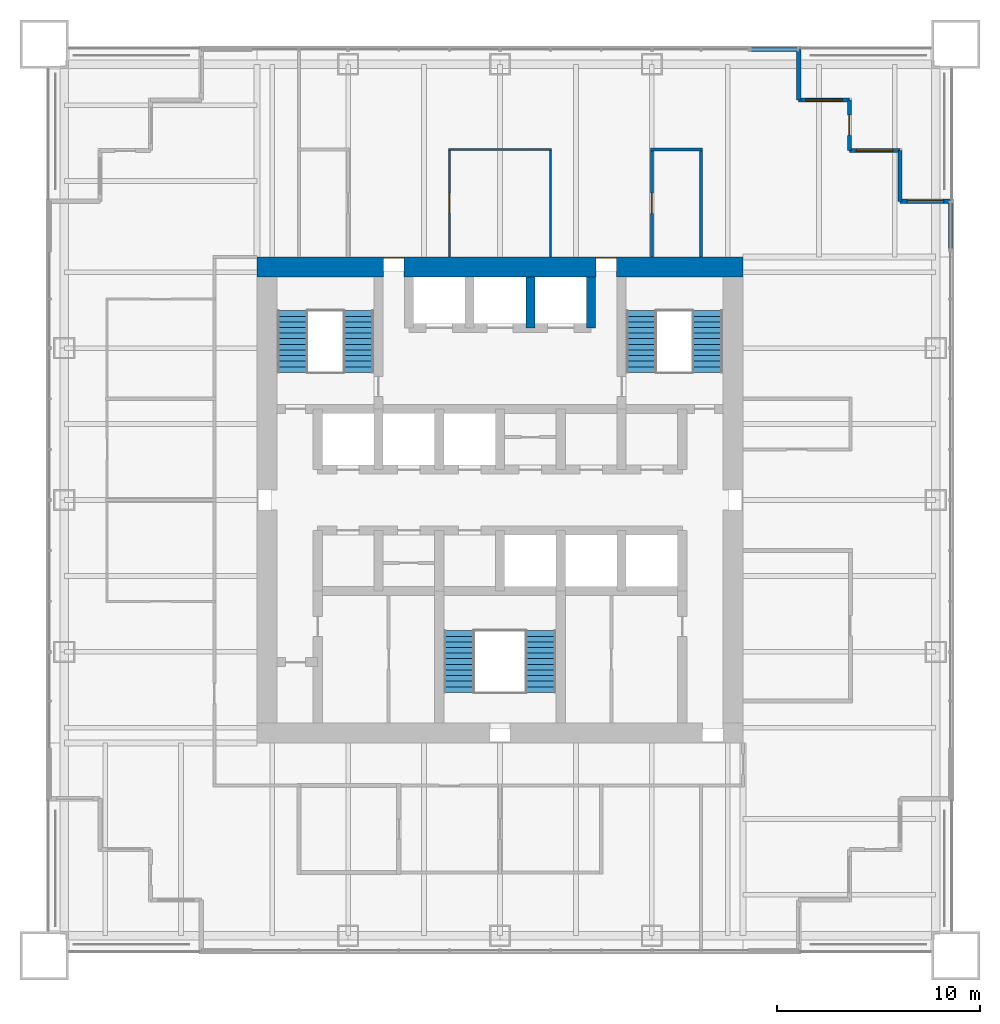
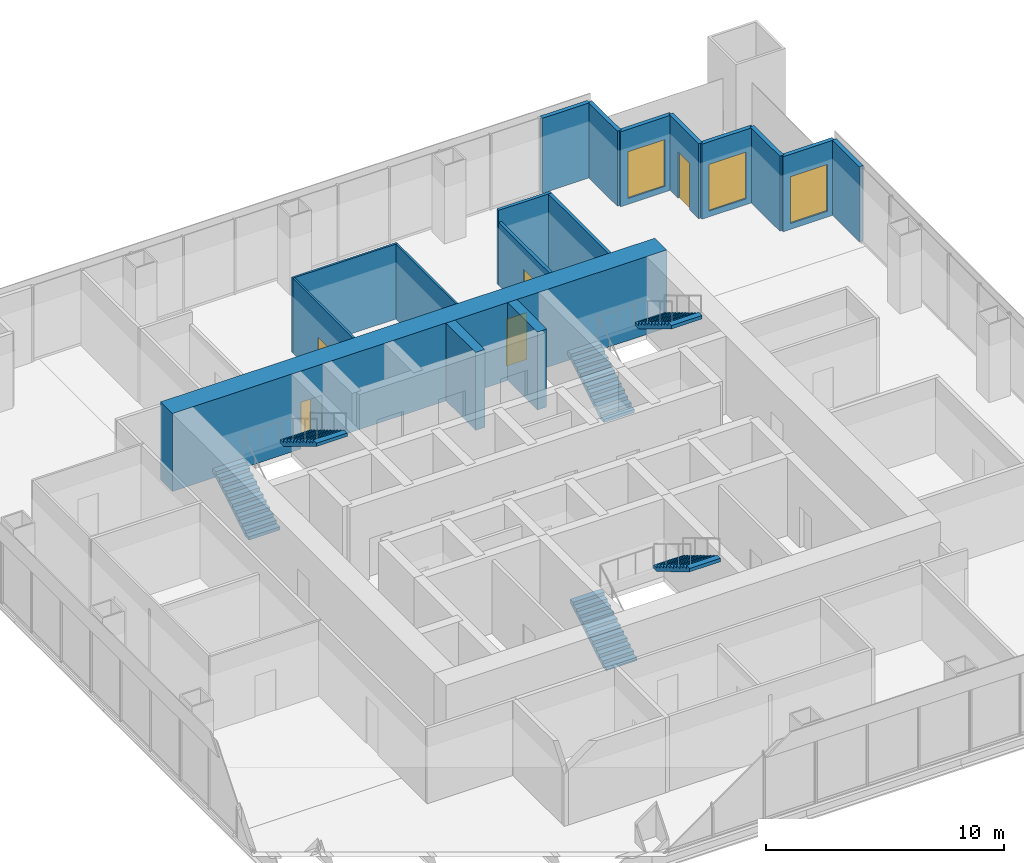
# One storey, part 11 of 13: 17 walls, 6 stair flights, 5 doors, 3 windows, 8 openings, 3 elements without a shape of their own.
"""IFC4 building model written with IfcOpenShell, lengths in metres."""

from ifc_helpers import new_model, si_unit, direction, frame, frame_2d, origin, place, context, subcontext, project, spatial, polyline, rectangle, outline, extrude, material, layer, layer_set, type_object, element, fill, aggregate, save


model = new_model("IFC4")

# Units and contexts
model_context = context("Model", 3, precision=1e-05, world=origin(), true_north=direction((0.0, 1.0)))
body_context = subcontext(model_context, "Body", "Model", "MODEL_VIEW")
ifc_project = project(units=[si_unit("LENGTHUNIT", "METRE"), si_unit("AREAUNIT", "SQUARE_METRE"), si_unit("VOLUMEUNIT", "CUBIC_METRE"), si_unit("PLANEANGLEUNIT", "RADIAN"), si_unit("MASSUNIT", "GRAM", prefix="KILO")], contexts=[model_context])

# Site, building, storey
site_placement = place(None, origin())
site = spatial("IfcSite", under=ifc_project, at=site_placement, CompositionType="ELEMENT")
building_placement = place(site_placement, origin())
building = spatial("IfcBuilding", under=site, at=building_placement, Name="Tarangal Relay Tower", CompositionType="ELEMENT")
storey_placement = place(building_placement, frame((0.0, 0.0, 245.89990234375)))
storey = spatial("IfcBuildingStorey", under=building, at=storey_placement, Name="L53", CompositionType="ELEMENT", Elevation=245.89990234375)

# Walls
ifc_material_1 = material(Name="Concrete fc' 60 MPa", Category="concrete")
ifc_layer_1 = layer(ifc_material_1, 0.449951171875)
ifc_layer_set_1 = layer_set([ifc_layer_1], Name="Core inner wall 450")
wall_type_1 = type_object("IfcWallType", Name="Core inner wall 450", PredefinedType="SHEAR", material=ifc_layer_set_1)
for number, where, z_axis, x_axis, name in (
    (1, (4.5, 8.5, 0.0), (0.0, 0.0, 1.0), (0.0, 1.0, 0.0), "Core wall X45 L53"),
    (2, (1.5, 8.5, 0.0), (0.0, 0.0, 1.0), (0.0, 1.0, 0.0), "Core wall X15 L53"),
):
    element("IfcWall", number, at=place(storey_placement, frame(where, z_axis=z_axis, x_axis=x_axis)), inside=storey, type_object=wall_type_1, Name=name, PredefinedType="SHEAR", context=body_context, shape_type="SweptSolid", body=[
        extrude(rectangle(XDim=2.5, YDim=0.449951171875, at=frame_2d((1.25, 0.0))), origin(), (0.0, 0.0, 1.0), 4.0),
    ])

# Wall, openings, doors
ifc_layer_2 = layer(ifc_material_1, 1.0)
ifc_layer_set_2 = layer_set([ifc_layer_2], Name="Core wall 1000")
wall_type_2 = type_object("IfcWallType", Name="Core wall 1000", PredefinedType="SHEAR", material=ifc_layer_set_2)
wall_1_placement = place(storey_placement, frame((-12.0, 11.5, 0.0), z_axis=(0.0, 0.0, 1.0), x_axis=(1.0, 0.0, 0.0)))
wall_1 = element("IfcWall", 3, at=wall_1_placement, inside=storey, type_object=wall_type_2, Name="Core wall N L53", PredefinedType="SHEAR", context=body_context, shape_type="SweptSolid", body=[
    extrude(rectangle(XDim=24.0, YDim=1.0, at=frame_2d((12.0, 0.0))), origin(), (0.0, 0.0, 1.0), 4.0),
])
opening_1_placement = place(wall_1_placement, frame((6.25, 0.0, 0.0)))
opening_1 = element("IfcOpeningElement", 4, at=opening_1_placement, cuts=wall_1, Name="Opening FD3", PredefinedType="OPENING", context=body_context, shape_type="SweptSolid", body=[
    extrude(rectangle(XDim=1.0, YDim=2.39990234375, at=frame_2d((0.5, 1.199951171875))), frame((0.0, 0.510009765625, 0.0), z_axis=(0.0, -1.0, 0.0), x_axis=(1.0, 0.0, 0.0)), (0.0, 0.0, 1.0), 1.02001953125),
])
opening_2_placement = place(wall_1_placement, frame((16.75, 0.0, 0.0)))
opening_2 = element("IfcOpeningElement", 5, at=opening_2_placement, cuts=wall_1, Name="Opening FD3", PredefinedType="OPENING", context=body_context, shape_type="SweptSolid", body=[
    extrude(rectangle(XDim=1.0, YDim=2.39990234375, at=frame_2d((0.5, 1.199951171875))), frame((0.0, 0.510009765625, 0.0), z_axis=(0.0, -1.0, 0.0), x_axis=(1.0, 0.0, 0.0)), (0.0, 0.0, 1.0), 1.02001953125),
])
ifc_material_2 = material(Name="Steel door with hardwood frame", Category="steel")
door_type_1 = type_object("IfcDoorType", Name="Fire door 1000 x 2400 core entry", OperationType="SINGLE_SWING_RIGHT", PredefinedType="DOOR", material=ifc_material_2)
door_1_placement = place(opening_1_placement, origin())
door_1 = element("IfcDoor", 6, at=door_1_placement, inside=storey, type_object=door_type_1, Name="Core entry door north west L53", OperationType="SINGLE_SWING_RIGHT", OverallHeight=2.39990234375, OverallWidth=1.0, PredefinedType="DOOR", context=body_context, shape_type="SweptSolid", body=[
    extrude(rectangle(XDim=1.0, YDim=2.39990234375, at=frame_2d((0.5, 1.199951171875))), frame((0.0, 0.48486328125, 0.0), z_axis=(0.0, -1.0, 0.0), x_axis=(1.0, 0.0, 0.0)), (0.0, 0.0, 1.0), 0.050048828125),
])
fill(opening_1, door_1)
door_2_placement = place(opening_2_placement, origin())
door_2 = element("IfcDoor", 7, at=door_2_placement, inside=storey, type_object=door_type_1, Name="Core entry door north east L53", OperationType="SINGLE_SWING_RIGHT", OverallHeight=2.39990234375, OverallWidth=1.0, PredefinedType="DOOR", context=body_context, shape_type="SweptSolid", body=[
    extrude(rectangle(XDim=1.0, YDim=2.39990234375, at=frame_2d((0.5, 1.199951171875))), frame((0.0, 0.48486328125, 0.0), z_axis=(0.0, -1.0, 0.0), x_axis=(1.0, 0.0, 0.0)), (0.0, 0.0, 1.0), 0.050048828125),
])
fill(opening_2, door_2)

# Wall
ifc_material_3 = material(Name="Black metal clad insulated wall", Category="steel")
ifc_layer_3 = layer(ifc_material_3, 0.199951171875)
ifc_layer_set_3 = layer_set([ifc_layer_3], Name="Corner wall metal clad 200")
wall_type_3 = type_object("IfcWallType", Name="Corner wall metal clad 200", PredefinedType="SOLIDWALL", material=ifc_layer_set_3)
wall_2_placement = place(storey_placement, frame((14.75, 22.25, 0.0), z_axis=(0.0, 0.0, 1.0), x_axis=(0.0, -1.0, 0.0)))
element("IfcWall", 8, at=wall_2_placement, inside=storey, type_object=wall_type_3, Name="Facade wall N facade L53", PredefinedType="SOLIDWALL", context=body_context, shape_type="SweptSolid", body=[
    extrude(rectangle(XDim=2.5, YDim=0.199951171875, at=frame_2d((1.25, 0.0))), origin(), (0.0, 0.0, 1.0), 3.85009765625),
])

# Wall, opening, window
wall_3_placement = place(storey_placement, frame((14.75, 19.75, 0.0), z_axis=(0.0, 0.0, 1.0), x_axis=(1.0, 0.0, 0.0)))
wall_3 = element("IfcWall", 9, at=wall_3_placement, inside=storey, type_object=wall_type_3, Name="Facade wall N facade L53", PredefinedType="SOLIDWALL", context=body_context, shape_type="SweptSolid", body=[
    extrude(rectangle(XDim=2.5, YDim=0.199951171875, at=frame_2d((1.25, 0.0))), origin(), (0.0, 0.0, 1.0), 3.85009765625),
])
opening_3_placement = place(wall_3_placement, frame((0.35009765625, 0.0, 0.300048828125)))
opening_3 = element("IfcOpeningElement", 10, at=opening_3_placement, cuts=wall_3, Name="Opening WN2", PredefinedType="OPENING", context=body_context, shape_type="SweptSolid", body=[
    extrude(rectangle(XDim=1.800048828125, YDim=2.39990234375, at=frame_2d((0.89990234375, 1.199951171875))), frame((0.0, 0.10986328125, 0.0), z_axis=(0.0, -1.0, 0.0), x_axis=(1.0, 0.0, 0.0)), (0.0, 0.0, 1.0), 0.219970703125),
])
ifc_material_4 = material(Name="Dark tinted double glazing in black aluminium frame", Category="aluminium")
window_type = type_object("IfcWindowType", Name="Corner window 1800 x 2400", PartitioningType="SINGLE_PANEL", PredefinedType="WINDOW", material=ifc_material_4)
window_1_placement = place(opening_3_placement, origin())
window_1 = element("IfcWindow", 11, at=window_1_placement, inside=storey, type_object=window_type, Name="Corner window WN2 N facade L53", OverallHeight=2.39990234375, OverallWidth=1.800048828125, PartitioningType="SINGLE_PANEL", PredefinedType="WINDOW", context=body_context, shape_type="SweptSolid", body=[
    extrude(rectangle(XDim=1.800048828125, YDim=2.39990234375, at=frame_2d((0.89990234375, 1.199951171875))), frame((0.0, 0.030029296875, 0.0), z_axis=(0.0, -1.0, 0.0), x_axis=(1.0, 0.0, 0.0)), (0.0, 0.0, 1.0), 0.06005859375),
])
fill(opening_3, window_1)

# Wall, opening, door
wall_4_placement = place(storey_placement, frame((17.25, 19.75, 0.0), z_axis=(0.0, 0.0, 1.0), x_axis=(0.0, -1.0, 0.0)))
wall_4 = element("IfcWall", 12, at=wall_4_placement, inside=storey, type_object=wall_type_3, Name="Facade wall N facade L53", PredefinedType="SOLIDWALL", context=body_context, shape_type="SweptSolid", body=[
    extrude(rectangle(XDim=2.5, YDim=0.199951171875, at=frame_2d((1.25, 0.0))), origin(), (0.0, 0.0, 1.0), 3.85009765625),
])
opening_4_placement = place(wall_4_placement, frame((0.75, 0.0, 0.0)))
opening_4 = element("IfcOpeningElement", 13, at=opening_4_placement, cuts=wall_4, Name="Opening TD1", PredefinedType="OPENING", context=body_context, shape_type="SweptSolid", body=[
    extrude(rectangle(XDim=1.0, YDim=2.39990234375, at=frame_2d((0.5, 1.199951171875))), frame((0.0, 0.10986328125, 0.0), z_axis=(0.0, -1.0, 0.0), x_axis=(1.0, 0.0, 0.0)), (0.0, 0.0, 1.0), 0.219970703125),
])
ifc_material_5 = material(Name="Aluminium glazed door", Category="aluminium")
door_type_2 = type_object("IfcDoorType", Name="Terrace door 1000 x 2400", OperationType="SINGLE_SWING_RIGHT", PredefinedType="DOOR", material=ifc_material_5)
door_3_placement = place(opening_4_placement, origin())
door_3 = element("IfcDoor", 14, at=door_3_placement, inside=storey, type_object=door_type_2, Name="Terrace door TD1 NE L53", OperationType="SINGLE_SWING_RIGHT", OverallHeight=2.39990234375, OverallWidth=1.0, PredefinedType="DOOR", context=body_context, shape_type="SweptSolid", body=[
    extrude(rectangle(XDim=1.0, YDim=2.39990234375, at=frame_2d((0.5, 1.199951171875))), frame((0.0, 0.02490234375, 0.0), z_axis=(0.0, -1.0, 0.0), x_axis=(1.0, 0.0, 0.0)), (0.0, 0.0, 1.0), 0.050048828125),
])
fill(opening_4, door_3)

# Wall, opening, window
wall_5_placement = place(storey_placement, frame((17.25, 17.25, 0.0), z_axis=(0.0, 0.0, 1.0), x_axis=(1.0, 0.0, 0.0)))
wall_5 = element("IfcWall", 15, at=wall_5_placement, inside=storey, type_object=wall_type_3, Name="Facade wall N facade L53", PredefinedType="SOLIDWALL", context=body_context, shape_type="SweptSolid", body=[
    extrude(rectangle(XDim=2.5, YDim=0.199951171875, at=frame_2d((1.25, 0.0))), origin(), (0.0, 0.0, 1.0), 3.85009765625),
])
opening_5_placement = place(wall_5_placement, frame((0.35009765625, 0.0, 0.300048828125)))
opening_5 = element("IfcOpeningElement", 16, at=opening_5_placement, cuts=wall_5, Name="Opening WN2", PredefinedType="OPENING", context=body_context, shape_type="SweptSolid", body=[
    extrude(rectangle(XDim=1.800048828125, YDim=2.39990234375, at=frame_2d((0.89990234375, 1.199951171875))), frame((0.0, 0.10986328125, 0.0), z_axis=(0.0, -1.0, 0.0), x_axis=(1.0, 0.0, 0.0)), (0.0, 0.0, 1.0), 0.219970703125),
])
window_2_placement = place(opening_5_placement, origin())
window_2 = element("IfcWindow", 17, at=window_2_placement, inside=storey, type_object=window_type, Name="Corner window WN2 N facade L53", OverallHeight=2.39990234375, OverallWidth=1.800048828125, PartitioningType="SINGLE_PANEL", PredefinedType="WINDOW", context=body_context, shape_type="SweptSolid", body=[
    extrude(rectangle(XDim=1.800048828125, YDim=2.39990234375, at=frame_2d((0.89990234375, 1.199951171875))), frame((0.0, 0.030029296875, 0.0), z_axis=(0.0, -1.0, 0.0), x_axis=(1.0, 0.0, 0.0)), (0.0, 0.0, 1.0), 0.06005859375),
])
fill(opening_5, window_2)

# Wall
wall_6_placement = place(storey_placement, frame((19.75, 17.25, 0.0), z_axis=(0.0, 0.0, 1.0), x_axis=(0.0, -1.0, 0.0)))
element("IfcWall", 18, at=wall_6_placement, inside=storey, type_object=wall_type_3, Name="Facade wall N facade L53", PredefinedType="SOLIDWALL", context=body_context, shape_type="SweptSolid", body=[
    extrude(rectangle(XDim=2.5, YDim=0.199951171875, at=frame_2d((1.25, 0.0))), origin(), (0.0, 0.0, 1.0), 3.85009765625),
])

# Wall, opening, window
wall_7_placement = place(storey_placement, frame((19.75, 14.75, 0.0), z_axis=(0.0, 0.0, 1.0), x_axis=(1.0, 0.0, 0.0)))
wall_7 = element("IfcWall", 19, at=wall_7_placement, inside=storey, type_object=wall_type_3, Name="Facade wall N facade L53", PredefinedType="SOLIDWALL", context=body_context, shape_type="SweptSolid", body=[
    extrude(rectangle(XDim=2.5, YDim=0.199951171875, at=frame_2d((1.25, 0.0))), origin(), (0.0, 0.0, 1.0), 3.85009765625),
])
opening_6_placement = place(wall_7_placement, frame((0.35009765625, 0.0, 0.300048828125)))
opening_6 = element("IfcOpeningElement", 20, at=opening_6_placement, cuts=wall_7, Name="Opening WN2", PredefinedType="OPENING", context=body_context, shape_type="SweptSolid", body=[
    extrude(rectangle(XDim=1.800048828125, YDim=2.39990234375, at=frame_2d((0.89990234375, 1.199951171875))), frame((0.0, 0.10986328125, 0.0), z_axis=(0.0, -1.0, 0.0), x_axis=(1.0, 0.0, 0.0)), (0.0, 0.0, 1.0), 0.219970703125),
])
window_3_placement = place(opening_6_placement, origin())
window_3 = element("IfcWindow", 21, at=window_3_placement, inside=storey, type_object=window_type, Name="Corner window WN2 N facade L53", OverallHeight=2.39990234375, OverallWidth=1.800048828125, PartitioningType="SINGLE_PANEL", PredefinedType="WINDOW", context=body_context, shape_type="SweptSolid", body=[
    extrude(rectangle(XDim=1.800048828125, YDim=2.39990234375, at=frame_2d((0.89990234375, 1.199951171875))), frame((0.0, 0.030029296875, 0.0), z_axis=(0.0, -1.0, 0.0), x_axis=(1.0, 0.0, 0.0)), (0.0, 0.0, 1.0), 0.06005859375),
])
fill(opening_6, window_3)

# Walls
ifc_layer_4 = layer(ifc_material_3, 0.199951171875)
ifc_layer_set_4 = layer_set([ifc_layer_4], Name="Facade infill wall metal clad 200")
wall_type_4 = type_object("IfcWallType", Name="Facade infill wall metal clad 200", PredefinedType="SOLIDWALL", material=ifc_layer_set_4)
for number, where, z_axis, x_axis, name in (
    (22, (12.398193359375, 22.25, 0.0), (0.0, 0.0, 1.0), (1.0, 0.0, 0.0), "Facade infill wall N facade L53 1.1"),
    (23, (22.25, 14.68505859375, 0.0), (0.0, 0.0, 1.0), (0.0, -1.0, 0.0), "Facade infill wall E facade L53 1.1"),
):
    element("IfcWall", number, at=place(storey_placement, frame(where, z_axis=z_axis, x_axis=x_axis)), inside=storey, type_object=wall_type_4, Name=name, PredefinedType="SOLIDWALL", context=body_context, shape_type="SweptSolid", body=[
        extrude(rectangle(XDim=2.286865234375, YDim=0.199951171875, at=frame_2d((1.1435546875, 0.0))), origin(), (0.0, 0.0, 1.0), 3.85009765625),
    ])
ifc_material_6 = material(Name="Double glazed aluminium framed partition", Category="aluminium")
ifc_layer_5 = layer(ifc_material_6, 0.10009765625)
ifc_layer_set_5 = layer_set([ifc_layer_5], Name="Glazed partition 100")
wall_type_5 = type_object("IfcWallType", Name="Glazed partition 100", PredefinedType="PARTITIONING", material=ifc_layer_set_5)
wall_8_placement = place(storey_placement, frame((-2.550048828125, 17.300048828125, 0.0), z_axis=(0.0, 0.0, 1.0), x_axis=(1.0, 0.0, 0.0)))
element("IfcWall", 24, at=wall_8_placement, inside=storey, type_object=wall_type_5, Name="Partition PT3 L53", PredefinedType="PARTITIONING", context=body_context, shape_type="SweptSolid", body=[
    extrude(rectangle(XDim=5.10009765625, YDim=0.10009765625, at=frame_2d((2.550048828125, 0.0))), origin(), (0.0, 0.0, 1.0), 3.85009765625),
])

# Wall, opening, door
wall_9_placement = place(storey_placement, frame((-2.5, 12.0, 0.0), z_axis=(0.0, 0.0, 1.0), x_axis=(0.0, 1.0, 0.0)))
wall_9 = element("IfcWall", 25, at=wall_9_placement, inside=storey, type_object=wall_type_5, Name="Partition PT3 L53", PredefinedType="PARTITIONING", context=body_context, shape_type="SweptSolid", body=[
    extrude(rectangle(XDim=5.35009765625, YDim=0.10009765625, at=frame_2d((2.675048828125, 0.0))), origin(), (0.0, 0.0, 1.0), 3.85009765625),
])
opening_7_placement = place(wall_9_placement, frame((2.14990234375, 0.0, 0.0)))
opening_7 = element("IfcOpeningElement", 26, at=opening_7_placement, cuts=wall_9, Name="Opening D3", PredefinedType="OPENING", context=body_context, shape_type="SweptSolid", body=[
    extrude(rectangle(XDim=1.0, YDim=2.10009765625, at=frame_2d((0.5, 1.050048828125))), frame((0.0, 0.06005859375, 0.0), z_axis=(0.0, -1.0, 0.0), x_axis=(1.0, 0.0, 0.0)), (0.0, 0.0, 1.0), 0.1201171875),
])
ifc_material_7 = material(Name="Frameless glass door", Category="glass")
door_type_3 = type_object("IfcDoorType", Name="Glazed door 1000 x 2100", OperationType="SINGLE_SWING_LEFT", PredefinedType="DOOR", material=ifc_material_7)
door_4_placement = place(opening_7_placement, origin())
door_4 = element("IfcDoor", 27, at=door_4_placement, inside=storey, type_object=door_type_3, Name="Door D3 to meeting room L53-03", OperationType="SINGLE_SWING_LEFT", OverallHeight=2.10009765625, OverallWidth=1.0, PredefinedType="DOOR", context=body_context, shape_type="SweptSolid", body=[
    extrude(rectangle(XDim=1.0, YDim=2.10009765625, at=frame_2d((0.5, 1.050048828125))), frame((0.0, 0.02490234375, 0.0), z_axis=(0.0, -1.0, 0.0), x_axis=(1.0, 0.0, 0.0)), (0.0, 0.0, 1.0), 0.050048828125),
])
fill(opening_7, door_4)

# Walls
wall_10_placement = place(storey_placement, frame((2.5, 12.0, 0.0), z_axis=(0.0, 0.0, 1.0), x_axis=(0.0, 1.0, 0.0)))
element("IfcWall", 28, at=wall_10_placement, inside=storey, type_object=wall_type_5, Name="Partition PT3 L53", PredefinedType="PARTITIONING", context=body_context, shape_type="SweptSolid", body=[
    extrude(rectangle(XDim=5.35009765625, YDim=0.10009765625, at=frame_2d((2.675048828125, 0.0))), origin(), (0.0, 0.0, 1.0), 3.85009765625),
])
ifc_material_8 = material(Name="Gypsum board on steel studs", Category="steel")
ifc_layer_6 = layer(ifc_material_8, 0.14990234375)
ifc_layer_set_6 = layer_set([ifc_layer_6], Name="Partition 150")
wall_type_6 = type_object("IfcWallType", Name="Partition 150", PredefinedType="PARTITIONING", material=ifc_layer_set_6)
wall_11_placement = place(storey_placement, frame((7.425048828125, 17.300048828125, 0.0), z_axis=(0.0, 0.0, 1.0), x_axis=(1.0, 0.0, 0.0)))
element("IfcWall", 29, at=wall_11_placement, inside=storey, type_object=wall_type_6, Name="Partition PT1 L53", PredefinedType="PARTITIONING", context=body_context, shape_type="SweptSolid", body=[
    extrude(rectangle(XDim=2.56689453125, YDim=0.14990234375, at=frame_2d((1.283447265625, 0.0))), origin(), (0.0, 0.0, 1.0), 3.85009765625),
])

# Wall, opening, door
wall_12_placement = place(storey_placement, frame((7.5, 12.0, 0.0), z_axis=(0.0, 0.0, 1.0), x_axis=(0.0, 1.0, 0.0)))
wall_12 = element("IfcWall", 30, at=wall_12_placement, inside=storey, type_object=wall_type_6, Name="Partition PT1 L53", PredefinedType="PARTITIONING", context=body_context, shape_type="SweptSolid", body=[
    extrude(rectangle(XDim=5.375, YDim=0.14990234375, at=frame_2d((2.6875, 0.0))), origin(), (0.0, 0.0, 1.0), 3.238037109375),
])
opening_8_placement = place(wall_12_placement, frame((2.14990234375, 0.0, 0.0)))
opening_8 = element("IfcOpeningElement", 31, at=opening_8_placement, cuts=wall_12, Name="Opening D2", PredefinedType="OPENING", context=body_context, shape_type="SweptSolid", body=[
    extrude(rectangle(XDim=1.0, YDim=2.10009765625, at=frame_2d((0.5, 1.050048828125))), frame((0.0, 0.0849609375, 0.0), z_axis=(0.0, -1.0, 0.0), x_axis=(1.0, 0.0, 0.0)), (0.0, 0.0, 1.0), 0.169921875),
])
ifc_material_9 = material(Name="Hardwood door", Category="wood")
door_type_4 = type_object("IfcDoorType", Name="Door 1000 x 2100", OperationType="SINGLE_SWING_LEFT", PredefinedType="DOOR", material=ifc_material_9)
door_5_placement = place(opening_8_placement, origin())
door_5 = element("IfcDoor", 32, at=door_5_placement, inside=storey, type_object=door_type_4, Name="Door D2 to cellular office L53-04", OperationType="SINGLE_SWING_LEFT", OverallHeight=2.10009765625, OverallWidth=1.0, PredefinedType="DOOR", context=body_context, shape_type="SweptSolid", body=[
    extrude(rectangle(XDim=1.0, YDim=2.10009765625, at=frame_2d((0.5, 1.050048828125))), frame((0.0, 0.02490234375, 0.0), z_axis=(0.0, -1.0, 0.0), x_axis=(1.0, 0.0, 0.0)), (0.0, 0.0, 1.0), 0.050048828125),
])
fill(opening_8, door_5)

# Wall
wall_13_placement = place(storey_placement, frame((9.9169921875, 12.0, 0.0), z_axis=(0.0, 0.0, 1.0), x_axis=(0.0, 1.0, 0.0)))
element("IfcWall", 33, at=wall_13_placement, inside=storey, type_object=wall_type_6, Name="Partition PT1 L53", PredefinedType="PARTITIONING", context=body_context, shape_type="SweptSolid", body=[
    extrude(rectangle(XDim=5.375, YDim=0.14990234375, at=frame_2d((2.6875, 0.0))), origin(), (0.0, 0.0, 1.0), 3.85009765625),
])

# Stair, stair flights
ifc_material_10 = material(Name="Steel ASTM A992 stair flight", Category="steel")
stair_type = type_object("IfcStairType", Name="Core stair 1500", PredefinedType="HALF_TURN_STAIR", material=ifc_material_10)
stair_1_placement = place(storey_placement, origin())
stair_1 = element("IfcStair", 34, at=stair_1_placement, inside=storey, type_object=stair_type, Name="Stair ST-A L53", PredefinedType="HALF_TURN_STAIR")
stair_flight_type = type_object("IfcStairFlightType", Name="Steel stair flight 1500, 12 risers 167 x 277", PredefinedType="STRAIGHT", material=ifc_material_10)
stair_flight_1_placement = place(storey_placement, frame((-10.25, 6.300048828125, 0.0), z_axis=(0.0, 0.0, 1.0), x_axis=(0.0, 1.0, 0.0)))
stair_flight_1 = element("IfcStairFlight", 35, at=stair_flight_1_placement, type_object=stair_flight_type, Name="ST-A flight 1", NumberOfRisers=12, NumberOfTreads=11, PredefinedType="STRAIGHT", RiserHeight=0.166666667, TreadLength=0.277, context=body_context, shape_type="SweptSolid", body=[
    extrude(outline(polyline([(0.0, 0.0), (0.0, 0.166748046875), (0.277099609375, 0.166748046875), (0.277099609375, 0.333251953125), (0.553955078125, 0.333251953125), (0.553955078125, 0.5), (0.8310546875, 0.5), (0.8310546875, 0.666748046875), (1.10791015625, 0.666748046875), (1.10791015625, 0.833251953125), (1.385009765625, 0.833251953125), (1.385009765625, 1.0), (1.662109375, 1.0), (1.662109375, 1.166748046875), (1.93896484375, 1.166748046875), (1.93896484375, 1.333251953125), (2.216064453125, 1.333251953125), (2.216064453125, 1.5), (2.492919921875, 1.5), (2.492919921875, 1.666748046875), (2.77001953125, 1.666748046875), (2.77001953125, 1.833251953125), (3.047119140625, 1.833251953125), (3.047119140625, 2.0), (3.047119140625, 1.658447265625), (0.290771484375, 0.0), (0.0, 0.0)])), frame((0.0, 0.75, 0.0), z_axis=(0.0, -1.0, 0.0), x_axis=(1.0, 0.0, 0.0)), (0.0, 0.0, 1.0), 1.5),
])
stair_flight_2_placement = place(storey_placement, frame((-6.97509765625, 9.346923828125, 2.0), z_axis=(0.0, 0.0, 1.0), x_axis=(0.0, -1.0, 0.0)))
stair_flight_2 = element("IfcStairFlight", 36, at=stair_flight_2_placement, type_object=stair_flight_type, Name="ST-A flight 2", NumberOfRisers=12, NumberOfTreads=11, PredefinedType="STRAIGHT", RiserHeight=0.166666667, TreadLength=0.277, context=body_context, shape_type="SweptSolid", body=[
    extrude(outline(polyline([(0.0, 0.0), (0.0, 0.166748046875), (0.277099609375, 0.166748046875), (0.277099609375, 0.333251953125), (0.553955078125, 0.333251953125), (0.553955078125, 0.5), (0.8310546875, 0.5), (0.8310546875, 0.666748046875), (1.10791015625, 0.666748046875), (1.10791015625, 0.833251953125), (1.385009765625, 0.833251953125), (1.385009765625, 1.0), (1.662109375, 1.0), (1.662109375, 1.166748046875), (1.93896484375, 1.166748046875), (1.93896484375, 1.333251953125), (2.216064453125, 1.333251953125), (2.216064453125, 1.5), (2.492919921875, 1.5), (2.492919921875, 1.666748046875), (2.77001953125, 1.666748046875), (2.77001953125, 1.833251953125), (3.047119140625, 1.833251953125), (3.047119140625, 2.0), (3.047119140625, 1.658447265625), (0.290771484375, 0.0), (0.0, 0.0)])), frame((0.0, 0.75, 0.0), z_axis=(0.0, -1.0, 0.0), x_axis=(1.0, 0.0, 0.0)), (0.0, 0.0, 1.0), 1.5),
])
aggregate(stair_1, [stair_flight_1, stair_flight_2])

stair_2_placement = place(storey_placement, origin())
stair_2 = element("IfcStair", 37, at=stair_2_placement, inside=storey, type_object=stair_type, Name="Stair ST-B L53", PredefinedType="HALF_TURN_STAIR")
stair_flight_3_placement = place(storey_placement, frame((6.97509765625, 6.300048828125, 0.0), z_axis=(0.0, 0.0, 1.0), x_axis=(0.0, 1.0, 0.0)))
stair_flight_3 = element("IfcStairFlight", 38, at=stair_flight_3_placement, type_object=stair_flight_type, Name="ST-B flight 1", NumberOfRisers=12, NumberOfTreads=11, PredefinedType="STRAIGHT", RiserHeight=0.166666667, TreadLength=0.277, context=body_context, shape_type="SweptSolid", body=[
    extrude(outline(polyline([(0.0, 0.0), (0.0, 0.166748046875), (0.277099609375, 0.166748046875), (0.277099609375, 0.333251953125), (0.553955078125, 0.333251953125), (0.553955078125, 0.5), (0.8310546875, 0.5), (0.8310546875, 0.666748046875), (1.10791015625, 0.666748046875), (1.10791015625, 0.833251953125), (1.385009765625, 0.833251953125), (1.385009765625, 1.0), (1.662109375, 1.0), (1.662109375, 1.166748046875), (1.93896484375, 1.166748046875), (1.93896484375, 1.333251953125), (2.216064453125, 1.333251953125), (2.216064453125, 1.5), (2.492919921875, 1.5), (2.492919921875, 1.666748046875), (2.77001953125, 1.666748046875), (2.77001953125, 1.833251953125), (3.047119140625, 1.833251953125), (3.047119140625, 2.0), (3.047119140625, 1.658447265625), (0.290771484375, 0.0), (0.0, 0.0)])), frame((0.0, 0.75, 0.0), z_axis=(0.0, -1.0, 0.0), x_axis=(1.0, 0.0, 0.0)), (0.0, 0.0, 1.0), 1.5),
])
stair_flight_4_placement = place(storey_placement, frame((10.25, 9.346923828125, 2.0), z_axis=(0.0, 0.0, 1.0), x_axis=(0.0, -1.0, 0.0)))
stair_flight_4 = element("IfcStairFlight", 39, at=stair_flight_4_placement, type_object=stair_flight_type, Name="ST-B flight 2", NumberOfRisers=12, NumberOfTreads=11, PredefinedType="STRAIGHT", RiserHeight=0.166666667, TreadLength=0.277, context=body_context, shape_type="SweptSolid", body=[
    extrude(outline(polyline([(0.0, 0.0), (0.0, 0.166748046875), (0.277099609375, 0.166748046875), (0.277099609375, 0.333251953125), (0.553955078125, 0.333251953125), (0.553955078125, 0.5), (0.8310546875, 0.5), (0.8310546875, 0.666748046875), (1.10791015625, 0.666748046875), (1.10791015625, 0.833251953125), (1.385009765625, 0.833251953125), (1.385009765625, 1.0), (1.662109375, 1.0), (1.662109375, 1.166748046875), (1.93896484375, 1.166748046875), (1.93896484375, 1.333251953125), (2.216064453125, 1.333251953125), (2.216064453125, 1.5), (2.492919921875, 1.5), (2.492919921875, 1.666748046875), (2.77001953125, 1.666748046875), (2.77001953125, 1.833251953125), (3.047119140625, 1.833251953125), (3.047119140625, 2.0), (3.047119140625, 1.658447265625), (0.290771484375, 0.0), (0.0, 0.0)])), frame((0.0, 0.75, 0.0), z_axis=(0.0, -1.0, 0.0), x_axis=(1.0, 0.0, 0.0)), (0.0, 0.0, 1.0), 1.5),
])
aggregate(stair_2, [stair_flight_3, stair_flight_4])

stair_3_placement = place(storey_placement, origin())
stair_3 = element("IfcStair", 40, at=stair_3_placement, inside=storey, type_object=stair_type, Name="Stair ST-C L53", PredefinedType="HALF_TURN_STAIR")
stair_flight_5_placement = place(storey_placement, frame((-2.02490234375, -9.5, 0.0), z_axis=(0.0, 0.0, 1.0), x_axis=(0.0, 1.0, 0.0)))
stair_flight_5 = element("IfcStairFlight", 41, at=stair_flight_5_placement, type_object=stair_flight_type, Name="ST-C flight 1", NumberOfRisers=12, NumberOfTreads=11, PredefinedType="STRAIGHT", RiserHeight=0.166666667, TreadLength=0.277, context=body_context, shape_type="SweptSolid", body=[
    extrude(outline(polyline([(0.0, 0.0), (0.0, 0.166748046875), (0.277099609375, 0.166748046875), (0.277099609375, 0.333251953125), (0.553955078125, 0.333251953125), (0.553955078125, 0.5), (0.8310546875, 0.5), (0.8310546875, 0.666748046875), (1.10791015625, 0.666748046875), (1.10791015625, 0.833251953125), (1.385009765625, 0.833251953125), (1.385009765625, 1.0), (1.662109375, 1.0), (1.662109375, 1.166748046875), (1.93896484375, 1.166748046875), (1.93896484375, 1.333251953125), (2.216064453125, 1.333251953125), (2.216064453125, 1.5), (2.492919921875, 1.5), (2.492919921875, 1.666748046875), (2.77001953125, 1.666748046875), (2.77001953125, 1.833251953125), (3.047119140625, 1.833251953125), (3.047119140625, 2.0), (3.047119140625, 1.658447265625), (0.290771484375, 0.0), (0.0, 0.0)])), frame((0.0, 0.75, 0.0), z_axis=(0.0, -1.0, 0.0), x_axis=(1.0, 0.0, 0.0)), (0.0, 0.0, 1.0), 1.5),
])
stair_flight_6_placement = place(storey_placement, frame((2.02490234375, -6.452880859375, 2.0), z_axis=(0.0, 0.0, 1.0), x_axis=(0.0, -1.0, 0.0)))
stair_flight_6 = element("IfcStairFlight", 42, at=stair_flight_6_placement, type_object=stair_flight_type, Name="ST-C flight 2", NumberOfRisers=12, NumberOfTreads=11, PredefinedType="STRAIGHT", RiserHeight=0.166666667, TreadLength=0.277, context=body_context, shape_type="SweptSolid", body=[
    extrude(outline(polyline([(0.0, 0.0), (0.0, 0.166748046875), (0.277099609375, 0.166748046875), (0.277099609375, 0.333251953125), (0.553955078125, 0.333251953125), (0.553955078125, 0.5), (0.8310546875, 0.5), (0.8310546875, 0.666748046875), (1.10791015625, 0.666748046875), (1.10791015625, 0.833251953125), (1.385009765625, 0.833251953125), (1.385009765625, 1.0), (1.662109375, 1.0), (1.662109375, 1.166748046875), (1.93896484375, 1.166748046875), (1.93896484375, 1.333251953125), (2.216064453125, 1.333251953125), (2.216064453125, 1.5), (2.492919921875, 1.5), (2.492919921875, 1.666748046875), (2.77001953125, 1.666748046875), (2.77001953125, 1.833251953125), (3.047119140625, 1.833251953125), (3.047119140625, 2.0), (3.047119140625, 1.658447265625), (0.290771484375, 0.0), (0.0, 0.0)])), frame((0.0, 0.75, 0.0), z_axis=(0.0, -1.0, 0.0), x_axis=(1.0, 0.0, 0.0)), (0.0, 0.0, 1.0), 1.5),
])
aggregate(stair_3, [stair_flight_5, stair_flight_6])

save(model, "model.ifc")
